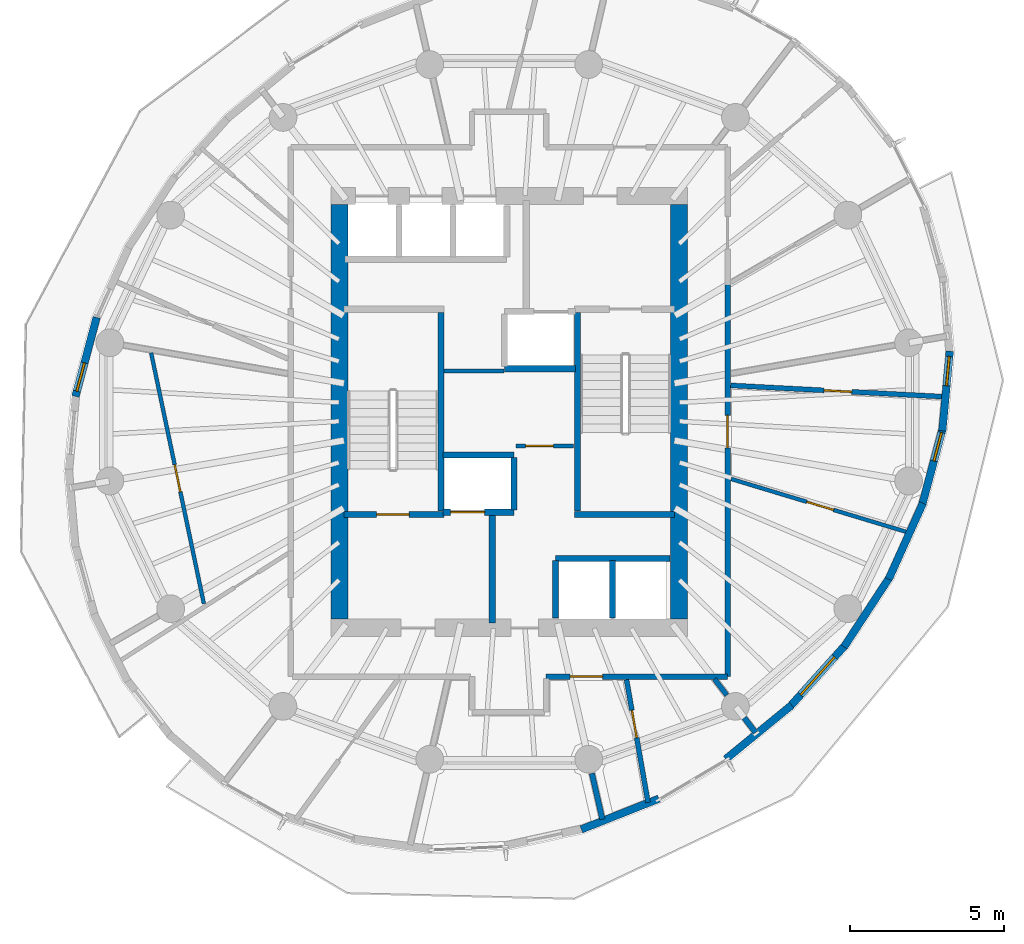
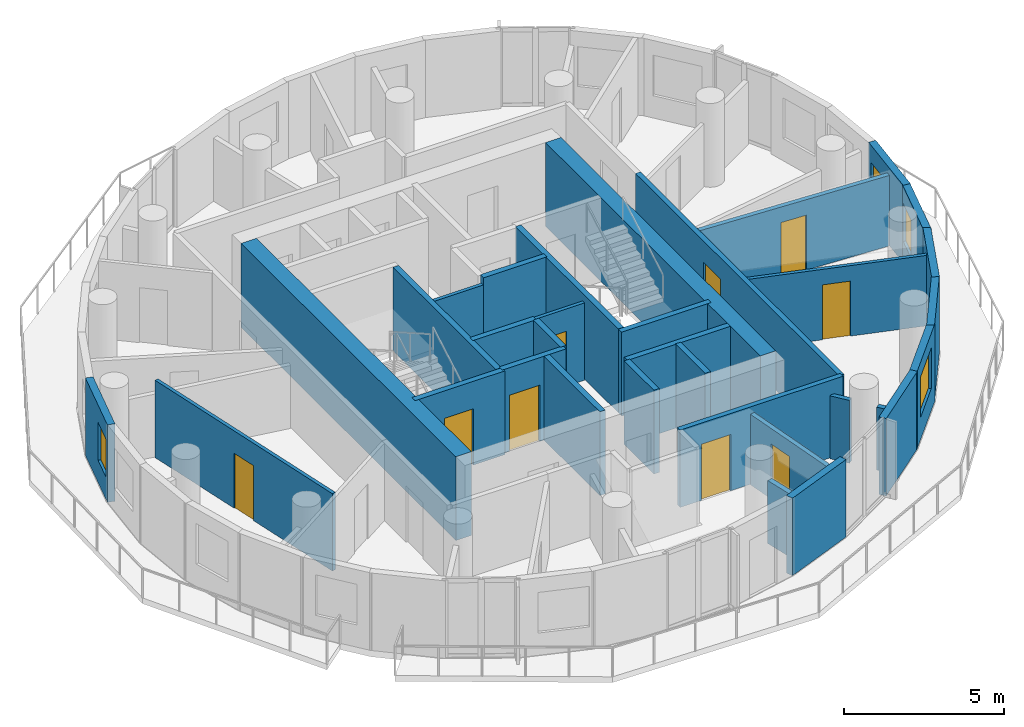
# One storey, part 5 of 10: 33 walls, 9 doors, 4 windows, 13 openings.
"""IFC4 building model written with IfcOpenShell, lengths in metres."""

from ifc_helpers import new_model, si_unit, direction, frame, frame_2d, origin, place, context, subcontext, project, spatial, rectangle, extrude, material, layer, layer_set, type_object, element, fill, save


model = new_model("IFC4")

# Units and contexts
model_context = context("Model", 3, precision=1e-05, world=origin(), true_north=direction((0.0, 1.0)))
body_context = subcontext(model_context, "Body", "Model", "MODEL_VIEW")
ifc_project = project(units=[si_unit("LENGTHUNIT", "METRE"), si_unit("AREAUNIT", "SQUARE_METRE"), si_unit("VOLUMEUNIT", "CUBIC_METRE"), si_unit("PLANEANGLEUNIT", "RADIAN"), si_unit("MASSUNIT", "GRAM", prefix="KILO")], contexts=[model_context])

# Site, building, storey
site_placement = place(None, origin())
site = spatial("IfcSite", under=ifc_project, at=site_placement, CompositionType="ELEMENT")
building_placement = place(site_placement, origin())
building = spatial("IfcBuilding", under=site, at=building_placement, Name="Veldorim Arch Residences", CompositionType="ELEMENT")
storey_placement = place(building_placement, frame((0.0, 0.0, 179.0400390625)))
storey = spatial("IfcBuildingStorey", under=building, at=storey_placement, Name="L53", CompositionType="ELEMENT", Elevation=179.0400390625)

# Wall, opening, door
ifc_material_1 = material(Name="Acoustic Gypsum Board", Category="gypsum")
ifc_layer_1 = layer(ifc_material_1, 0.125, Name="Acoustic Stud Room Partition Wall 125")
ifc_layer_set_1 = layer_set([ifc_layer_1], Name="Acoustic Gypsum Board")
wall_type_1 = type_object("IfcWallType", Name="Acoustic Stud Room Partition Wall 125", PredefinedType="PARTITIONING", material=ifc_layer_set_1)
wall_1_placement = place(storey_placement, frame((32.219970703125, 22.89990234375, 0.0), z_axis=(0.0, 0.0, 1.0), x_axis=(1.0, 0.0, 0.0)))
wall_1 = element("IfcWall", 1, at=wall_1_placement, inside=storey, type_object=wall_type_1, Name="L53 interior wall WL-CA-L53-2", PredefinedType="PARTITIONING", context=body_context, shape_type="SweptSolid", body=[
    extrude(rectangle(XDim=1.860107421875, YDim=0.125, at=frame_2d((0.93017578125, 0.0))), origin(), (0.0, 0.0, 1.0), 2.955078125),
])
opening_1_placement = place(wall_1_placement, frame((0.31005859375, 0.0, 0.0)))
opening_1 = element("IfcOpeningElement", 2, at=opening_1_placement, cuts=wall_1, Name="Opening DR-SVC", PredefinedType="OPENING", context=body_context, shape_type="SweptSolid", body=[
    extrude(rectangle(XDim=0.89990234375, YDim=2.10009765625, at=frame_2d((0.449951171875, 1.050048828125))), frame((0.0, 0.072509765625, 0.0), z_axis=(0.0, -1.0, 0.0), x_axis=(1.0, 0.0, 0.0)), (0.0, 0.0, 1.0), 0.14501953125),
])
ifc_material_2 = material(Name="Fire-Rated Steel", Category="steel")
door_type_1 = type_object("IfcDoorType", Name="Riser, Shelter & Plant Room Rated Steel Door 900x2100", OperationType="SINGLE_SWING_LEFT", PredefinedType="DOOR", material=ifc_material_2)
door_1_placement = place(opening_1_placement, origin())
door_1 = element("IfcDoor", 3, at=door_1_placement, inside=storey, type_object=door_type_1, Name="L53 interior door DR-L53-CA1", OperationType="SINGLE_SWING_RIGHT", OverallHeight=2.10009765625, OverallWidth=0.89990234375, PredefinedType="DOOR", context=body_context, shape_type="SweptSolid", body=[
    extrude(rectangle(XDim=0.89990234375, YDim=2.10009765625, at=frame_2d((0.449951171875, 1.050048828125))), frame((0.0, 0.02490234375, 0.0), z_axis=(0.0, -1.0, 0.0), x_axis=(1.0, 0.0, 0.0)), (0.0, 0.0, 1.0), 0.050048828125),
])
fill(opening_1, door_1)

# Wall
wall_2_placement = place(storey_placement, frame((29.889892578125, 25.330078125, 0.0), z_axis=(0.0, 0.0, 1.0), x_axis=(1.0, 0.0, 0.0)))
element("IfcWall", 4, at=wall_2_placement, inside=storey, type_object=wall_type_1, Name="L53 interior wall WL-CA-L53-N", PredefinedType="PARTITIONING", context=body_context, shape_type="SweptSolid", body=[
    extrude(rectangle(XDim=1.940185546875, YDim=0.125, at=frame_2d((0.97021484375, 0.0))), origin(), (0.0, 0.0, 1.0), 2.955078125),
])

# Wall, opening, door
wall_3_placement = place(storey_placement, frame((44.96337890625, 20.0830078125, 0.0), z_axis=(0.0, 0.0, 1.0), x_axis=(-0.95726021897, 0.289228064298, 0.0)))
wall_3 = element("IfcWall", 5, at=wall_3_placement, inside=storey, type_object=wall_type_1, Name="L53 interior wall WL-RES-L53-020", PredefinedType="PARTITIONING", context=body_context, shape_type="SweptSolid", body=[
    extrude(rectangle(XDim=6.026123046875, YDim=0.125, at=frame_2d((3.01318359375, 0.0))), origin(), (0.0, 0.0, 1.0), 2.69189453125),
])
opening_2_placement = place(wall_3_placement, frame((2.56298828125, 0.0, 0.0)))
opening_2 = element("IfcOpeningElement", 6, at=opening_2_placement, cuts=wall_3, Name="Opening DR-INT", PredefinedType="OPENING", context=body_context, shape_type="SweptSolid", body=[
    extrude(rectangle(XDim=0.89990234375, YDim=2.10009765625, at=frame_2d((0.449951171875, 1.050048828125))), frame((0.0, 0.072509765625, 0.0), z_axis=(0.0, -1.0, 0.0), x_axis=(1.0, 0.0, 0.0)), (0.0, 0.0, 1.0), 0.14501953125),
])
ifc_material_3 = material(Name="Engineered Timber", Category="wood")
door_type_2 = type_object("IfcDoorType", Name="Apartment Internal Room Timber Door 900x2100", OperationType="SINGLE_SWING_LEFT", PredefinedType="DOOR", material=ifc_material_3)
door_2_placement = place(opening_2_placement, origin())
door_2 = element("IfcDoor", 7, at=door_2_placement, inside=storey, type_object=door_type_2, Name="L53 interior door DR-RES-L53-005", OperationType="SINGLE_SWING_LEFT", OverallHeight=2.10009765625, OverallWidth=0.89990234375, PredefinedType="DOOR", context=body_context, shape_type="SweptSolid", body=[
    extrude(rectangle(XDim=0.89990234375, YDim=2.10009765625, at=frame_2d((0.449951171875, 1.050048828125))), frame((0.0, 0.02490234375, 0.0), z_axis=(0.0, -1.0, 0.0), x_axis=(1.0, 0.0, 0.0)), (0.0, 0.0, 1.0), 0.050048828125),
])
fill(opening_2, door_2)

wall_4_placement = place(storey_placement, frame((22.10302734375, 17.78271484375, 0.0), z_axis=(0.0, 0.0, 1.0), x_axis=(-0.205746874797, 0.978605243963, 0.0)))
wall_4 = element("IfcWall", 8, at=wall_4_placement, inside=storey, type_object=wall_type_1, Name="L53 interior wall WL-RES-L53-032", PredefinedType="PARTITIONING", context=body_context, shape_type="SweptSolid", body=[
    extrude(rectangle(XDim=8.30859375, YDim=0.125, at=frame_2d((4.154296875, 0.0))), origin(), (0.0, 0.0, 1.0), 2.955078125),
])
opening_3_placement = place(wall_4_placement, frame((3.704345703125, 0.0, 0.0)))
opening_3 = element("IfcOpeningElement", 9, at=opening_3_placement, cuts=wall_4, Name="Opening DR-INT", PredefinedType="OPENING", context=body_context, shape_type="SweptSolid", body=[
    extrude(rectangle(XDim=0.89990234375, YDim=2.10009765625, at=frame_2d((0.449951171875, 1.050048828125))), frame((0.0, 0.072509765625, 0.0), z_axis=(0.0, -1.0, 0.0), x_axis=(1.0, 0.0, 0.0)), (0.0, 0.0, 1.0), 0.14501953125),
])
door_3_placement = place(opening_3_placement, origin())
door_3 = element("IfcDoor", 10, at=door_3_placement, inside=storey, type_object=door_type_2, Name="L53 interior door DR-RES-L53-017", OperationType="SINGLE_SWING_LEFT", OverallHeight=2.10009765625, OverallWidth=0.89990234375, PredefinedType="DOOR", context=body_context, shape_type="SweptSolid", body=[
    extrude(rectangle(XDim=0.89990234375, YDim=2.10009765625, at=frame_2d((0.449951171875, 1.050048828125))), frame((0.0, 0.02490234375, 0.0), z_axis=(0.0, -1.0, 0.0), x_axis=(1.0, 0.0, 0.0)), (0.0, 0.0, 1.0), 0.050048828125),
])
fill(opening_3, door_3)

# Walls
ifc_material_4 = material(Name="Lightweight Masonry Block & Gypsum", Category="masonry")
ifc_layer_2 = layer(ifc_material_4, 0.179931640625, Name="Compartment & Corridor Fire-Rated Party Wall 180")
ifc_layer_set_2 = layer_set([ifc_layer_2], Name="Lightweight Masonry Block & Gypsum")
wall_type_2 = type_object("IfcWallType", Name="Compartment & Corridor Fire-Rated Party Wall 180", PredefinedType="PARTITIONING", material=ifc_layer_set_2)
wall_5_placement = place(storey_placement, frame((34.679931640625, 12.282470703125, 0.0), z_axis=(0.0, 0.0, 1.0), x_axis=(0.222976920769, -0.974823723965, 0.0)))
element("IfcWall", 11, at=wall_5_placement, inside=storey, type_object=wall_type_2, Name="L53 interior wall WL-PIER-L53-13", PredefinedType="PARTITIONING", context=body_context, shape_type="SweptSolid", body=[
    extrude(rectangle(XDim=1.525146484375, YDim=0.179931640625, at=frame_2d((0.7626953125, 0.0))), origin(), (0.0, 0.0, 1.0), 2.4033203125),
])
wall_6_placement = place(storey_placement, frame((39.619873046875, 14.08203125, 0.0), z_axis=(0.0, 0.0, 1.0), x_axis=(0.609062571598, -0.793122174623, 0.0)))
element("IfcWall", 12, at=wall_6_placement, inside=storey, type_object=wall_type_2, Name="L53 interior wall WL-PIER-L53-14", PredefinedType="PARTITIONING", context=body_context, shape_type="SweptSolid", body=[
    extrude(rectangle(XDim=0.600830078125, YDim=0.179931640625, at=frame_2d((0.30029296875, 0.0))), origin(), (0.0, 0.0, 1.0), 2.4033203125),
])

# Wall, opening, door
wall_7_placement = place(storey_placement, frame((39.080078125, 15.419921875, 0.0), z_axis=(0.0, 0.0, 1.0), x_axis=(-1.0, 0.0, 0.0)))
wall_7 = element("IfcWall", 13, at=wall_7_placement, inside=storey, type_object=wall_type_2, Name="L53 interior wall WL-RES-L53-001", PredefinedType="PARTITIONING", context=body_context, shape_type="SweptSolid", body=[
    extrude(rectangle(XDim=5.880126953125, YDim=0.179931640625, at=frame_2d((2.93994140625, 0.0))), origin(), (0.0, 0.0, 1.0), 2.955078125),
])
opening_4_placement = place(wall_7_placement, frame((4.05224609375, 0.0, 0.0)))
opening_4 = element("IfcOpeningElement", 14, at=opening_4_placement, cuts=wall_7, Name="Opening DR-FLT", PredefinedType="OPENING", context=body_context, shape_type="SweptSolid", body=[
    extrude(rectangle(XDim=1.050048828125, YDim=2.14990234375, at=frame_2d((0.52490234375, 1.074951171875))), frame((0.0, 0.099853515625, 0.0), z_axis=(0.0, -1.0, 0.0), x_axis=(1.0, 0.0, 0.0)), (0.0, 0.0, 1.0), 0.199951171875),
])
ifc_material_5 = material(Name="Fire-Rated Timber", Category="wood")
door_type_3 = type_object("IfcDoorType", Name="Apartment Entrance Solid-Core Fire Door 1050x2150", OperationType="SINGLE_SWING_LEFT", PredefinedType="DOOR", material=ifc_material_5)
door_4_placement = place(opening_4_placement, origin())
door_4 = element("IfcDoor", 15, at=door_4_placement, inside=storey, type_object=door_type_3, Name="L53 interior door DR-RES-L53-001", OperationType="SINGLE_SWING_LEFT", OverallHeight=2.14990234375, OverallWidth=1.050048828125, PredefinedType="DOOR", context=body_context, shape_type="SweptSolid", body=[
    extrude(rectangle(XDim=1.050048828125, YDim=2.14990234375, at=frame_2d((0.52490234375, 1.074951171875))), frame((0.0, 0.02490234375, 0.0), z_axis=(0.0, -1.0, 0.0), x_axis=(1.0, 0.0, 0.0)), (0.0, 0.0, 1.0), 0.050048828125),
])
fill(opening_4, door_4)

wall_8_placement = place(storey_placement, frame((39.080078125, 28.155517578125, 0.0), z_axis=(0.0, 0.0, 1.0), x_axis=(0.0, -1.0, 0.0)))
wall_8 = element("IfcWall", 16, at=wall_8_placement, inside=storey, type_object=wall_type_2, Name="L53 interior wall WL-RES-L53-006", PredefinedType="PARTITIONING", context=body_context, shape_type="SweptSolid", body=[
    extrude(rectangle(XDim=12.735595703125, YDim=0.179931640625, at=frame_2d((6.36767578125, 0.0))), origin(), (0.0, 0.0, 1.0), 2.955078125),
])
opening_5_placement = place(wall_8_placement, frame((4.268798828125, 0.0, 0.0)))
opening_5 = element("IfcOpeningElement", 17, at=opening_5_placement, cuts=wall_8, Name="Opening DR-FLT", PredefinedType="OPENING", context=body_context, shape_type="SweptSolid", body=[
    extrude(rectangle(XDim=1.050048828125, YDim=2.14990234375, at=frame_2d((0.52490234375, 1.074951171875))), frame((0.0, 0.099853515625, 0.0), z_axis=(0.0, -1.0, 0.0), x_axis=(1.0, 0.0, 0.0)), (0.0, 0.0, 1.0), 0.199951171875),
])
door_5_placement = place(opening_5_placement, origin())
door_5 = element("IfcDoor", 18, at=door_5_placement, inside=storey, type_object=door_type_3, Name="L53 interior door DR-RES-L53-003", OperationType="SINGLE_SWING_LEFT", OverallHeight=2.14990234375, OverallWidth=1.050048828125, PredefinedType="DOOR", context=body_context, shape_type="SweptSolid", body=[
    extrude(rectangle(XDim=1.050048828125, YDim=2.14990234375, at=frame_2d((0.52490234375, 1.074951171875))), frame((0.0, 0.02490234375, 0.0), z_axis=(0.0, -1.0, 0.0), x_axis=(1.0, 0.0, 0.0)), (0.0, 0.0, 1.0), 0.050048828125),
])
fill(opening_5, door_5)

# Wall
ifc_material_6 = material(Name="Concrete C50/60", Category="concrete")
ifc_layer_3 = layer(ifc_material_6, 0.199951171875, Name="Core Stair & Lift Shaft Enclosure Wall 200")
ifc_layer_set_3 = layer_set([ifc_layer_3], Name="Concrete C50/60")
wall_type_3 = type_object("IfcWallType", Name="Core Stair & Lift Shaft Enclosure Wall 200", PredefinedType="SHEAR", material=ifc_layer_set_3)
wall_9_placement = place(storey_placement, frame((29.7900390625, 20.780029296875, 0.0), z_axis=(0.0, 0.0, 1.0), x_axis=(0.0, 1.0, 0.0)))
element("IfcWall", 19, at=wall_9_placement, inside=storey, type_object=wall_type_3, Name="L53 shaft wall WL-SHF-L53-ST1-E", PredefinedType="SHEAR", context=body_context, shape_type="SweptSolid", body=[
    extrude(rectangle(XDim=6.43994140625, YDim=0.199951171875, at=frame_2d((3.219970703125, 0.0))), origin(), (0.0, 0.0, 1.0), 3.199951171875),
])

# Wall, opening, door
wall_10_placement = place(storey_placement, frame((26.64990234375, 20.669921875, 0.0), z_axis=(0.0, 0.0, 1.0), x_axis=(1.0, 0.0, 0.0)))
wall_10 = element("IfcWall", 20, at=wall_10_placement, inside=storey, type_object=wall_type_3, Name="L53 shaft wall WL-SHF-L53-ST1-S", PredefinedType="SHEAR", context=body_context, shape_type="SweptSolid", body=[
    extrude(rectangle(XDim=3.239990234375, YDim=0.199951171875, at=frame_2d((1.6201171875, 0.0))), origin(), (0.0, 0.0, 1.0), 3.199951171875),
])
opening_6_placement = place(wall_10_placement, frame((1.054931640625, 0.0, 0.0)))
opening_6 = element("IfcOpeningElement", 21, at=opening_6_placement, cuts=wall_10, Name="Opening DR-ST", PredefinedType="OPENING", context=body_context, shape_type="SweptSolid", body=[
    extrude(rectangle(XDim=1.050048828125, YDim=2.14990234375, at=frame_2d((0.52490234375, 1.074951171875))), frame((0.0, 0.10986328125, 0.0), z_axis=(0.0, -1.0, 0.0), x_axis=(1.0, 0.0, 0.0)), (0.0, 0.0, 1.0), 0.219970703125),
])
ifc_material_7 = material(Name="Fire-Rated Steel", Category="steel")
door_type_4 = type_object("IfcDoorType", Name="Exit Staircase Self-Closing Fire Door 1050x2150", OperationType="SINGLE_SWING_LEFT", PredefinedType="DOOR", material=ifc_material_7)
door_6_placement = place(opening_6_placement, origin())
door_6 = element("IfcDoor", 22, at=door_6_placement, inside=storey, type_object=door_type_4, Name="L53 interior door DR-L53-ST1", OperationType="SINGLE_SWING_LEFT", OverallHeight=2.14990234375, OverallWidth=1.050048828125, PredefinedType="DOOR", context=body_context, shape_type="SweptSolid", body=[
    extrude(rectangle(XDim=1.050048828125, YDim=2.14990234375, at=frame_2d((0.52490234375, 1.074951171875))), frame((0.0, 0.02490234375, 0.0), z_axis=(0.0, -1.0, 0.0), x_axis=(1.0, 0.0, 0.0)), (0.0, 0.0, 1.0), 0.050048828125),
])
fill(opening_6, door_6)

# Walls
wall_11_placement = place(storey_placement, frame((34.2099609375, 20.780029296875, 0.0), z_axis=(0.0, 0.0, 1.0), x_axis=(0.0, 1.0, 0.0)))
element("IfcWall", 23, at=wall_11_placement, inside=storey, type_object=wall_type_3, Name="L53 shaft wall WL-SHF-L53-ST2-W", PredefinedType="SHEAR", context=body_context, shape_type="SweptSolid", body=[
    extrude(rectangle(XDim=6.43994140625, YDim=0.199951171875, at=frame_2d((3.219970703125, 0.0))), origin(), (0.0, 0.0, 1.0), 3.199951171875),
])
wall_12_placement = place(storey_placement, frame((34.110107421875, 20.669921875, 0.0), z_axis=(0.0, 0.0, 1.0), x_axis=(1.0, 0.0, 0.0)))
element("IfcWall", 24, at=wall_12_placement, inside=storey, type_object=wall_type_3, Name="L53 shaft wall WL-SHF-L53-ST2-S", PredefinedType="SHEAR", context=body_context, shape_type="SweptSolid", body=[
    extrude(rectangle(XDim=3.239990234375, YDim=0.199951171875, at=frame_2d((1.6201171875, 0.0))), origin(), (0.0, 0.0, 1.0), 3.199951171875),
])
wall_13_placement = place(storey_placement, frame((31.449951171875, 17.14990234375, 0.0), z_axis=(0.0, 0.0, 1.0), x_axis=(0.0, 1.0, 0.0)))
element("IfcWall", 25, at=wall_13_placement, inside=storey, type_object=wall_type_3, Name="L53 shaft wall WL-FFL1-L53-E", PredefinedType="SHEAR", context=body_context, shape_type="SweptSolid", body=[
    extrude(rectangle(XDim=3.5, YDim=0.199951171875, at=frame_2d((1.75, 0.0))), origin(), (0.0, 0.0, 1.0), 3.199951171875),
])

# Wall, opening, door
wall_14_placement = place(storey_placement, frame((29.85009765625, 20.75, 0.0), z_axis=(0.0, 0.0, 1.0), x_axis=(1.0, 0.0, 0.0)))
wall_14 = element("IfcWall", 26, at=wall_14_placement, inside=storey, type_object=wall_type_3, Name="L53 shaft wall WL-FL01-L53-S", PredefinedType="SHEAR", context=body_context, shape_type="SweptSolid", body=[
    extrude(rectangle(XDim=2.2998046875, YDim=0.199951171875, at=frame_2d((1.14990234375, 0.0))), origin(), (0.0, 0.0, 1.0), 3.199951171875),
])
opening_7_placement = place(wall_14_placement, frame((0.25, 0.0, 0.0)))
opening_7 = element("IfcOpeningElement", 27, at=opening_7_placement, cuts=wall_14, Name="Opening LD-FF", PredefinedType="OPENING", context=body_context, shape_type="SweptSolid", body=[
    extrude(rectangle(XDim=1.10009765625, YDim=2.14990234375, at=frame_2d((0.550048828125, 1.074951171875))), frame((0.0, 0.10986328125, 0.0), z_axis=(0.0, -1.0, 0.0), x_axis=(1.0, 0.0, 0.0)), (0.0, 0.0, 1.0), 0.219970703125),
])
ifc_material_8 = material(Name="Stainless Steel", Category="steel")
door_type_5 = type_object("IfcDoorType", Name="Firefighting Lift Bi-Parting Sliding Landing Door 1100x2150", OperationType="DOUBLE_DOOR_SLIDING", PredefinedType="DOOR", material=ifc_material_8)
door_7_placement = place(opening_7_placement, origin())
door_7 = element("IfcDoor", 28, at=door_7_placement, inside=storey, type_object=door_type_5, Name="L53 lift landing door LD-L53-FL01", OperationType="DOUBLE_DOOR_SLIDING", OverallHeight=2.14990234375, OverallWidth=1.10009765625, PredefinedType="DOOR", context=body_context, shape_type="SweptSolid", body=[
    extrude(rectangle(XDim=1.10009765625, YDim=2.14990234375, at=frame_2d((0.550048828125, 1.074951171875))), frame((0.0, 0.02490234375, 0.0), z_axis=(0.0, -1.0, 0.0), x_axis=(1.0, 0.0, 0.0)), (0.0, 0.0, 1.0), 0.050048828125),
])
fill(opening_7, door_7)

# Walls
wall_15_placement = place(storey_placement, frame((29.85009765625, 22.60009765625, 0.0), z_axis=(0.0, 0.0, 1.0), x_axis=(1.0, 0.0, 0.0)))
element("IfcWall", 29, at=wall_15_placement, inside=storey, type_object=wall_type_3, Name="L53 shaft wall WL-FL01-L53-N", PredefinedType="SHEAR", context=body_context, shape_type="SweptSolid", body=[
    extrude(rectangle(XDim=2.2998046875, YDim=0.199951171875, at=frame_2d((1.14990234375, 0.0))), origin(), (0.0, 0.0, 1.0), 3.199951171875),
])
wall_16_placement = place(storey_placement, frame((32.14990234375, 20.820068359375, 0.0), z_axis=(0.0, 0.0, 1.0), x_axis=(0.0, 1.0, 0.0)))
element("IfcWall", 30, at=wall_16_placement, inside=storey, type_object=wall_type_3, Name="L53 shaft wall WL-FL01-L53-E", PredefinedType="SHEAR", context=body_context, shape_type="SweptSolid", body=[
    extrude(rectangle(XDim=1.7099609375, YDim=0.199951171875, at=frame_2d((0.85498046875, 0.0))), origin(), (0.0, 0.0, 1.0), 3.199951171875),
])
wall_17_placement = place(storey_placement, frame((31.85009765625, 25.39990234375, 0.0), z_axis=(0.0, 0.0, 1.0), x_axis=(1.0, 0.0, 0.0)))
element("IfcWall", 31, at=wall_17_placement, inside=storey, type_object=wall_type_3, Name="L53 shaft wall WL-FL02-L53-S", PredefinedType="SHEAR", context=body_context, shape_type="SweptSolid", body=[
    extrude(rectangle(XDim=2.2998046875, YDim=0.199951171875, at=frame_2d((1.14990234375, 0.0))), origin(), (0.0, 0.0, 1.0), 3.199951171875),
])
wall_18_placement = place(storey_placement, frame((33.5, 19.25, 0.0), z_axis=(0.0, 0.0, 1.0), x_axis=(1.0, 0.0, 0.0)))
element("IfcWall", 32, at=wall_18_placement, inside=storey, type_object=wall_type_3, Name="L53 shaft wall WL-OL-L53-N", PredefinedType="SHEAR", context=body_context, shape_type="SweptSolid", body=[
    extrude(rectangle(XDim=3.719970703125, YDim=0.199951171875, at=frame_2d((1.85986328125, 0.0))), origin(), (0.0, 0.0, 1.0), 3.199951171875),
])
for number, where, z_axis, x_axis, name in (
    (33, (33.5, 17.320068359375, 0.0), (0.0, 0.0, 1.0), (0.0, 1.0, 0.0), "L53 shaft wall WL-OL-L53-W"),
    (34, (35.35009765625, 17.320068359375, 0.0), (0.0, 0.0, 1.0), (0.0, 1.0, 0.0), "L53 shaft wall WL-OL-L53-D1"),
):
    element("IfcWall", number, at=place(storey_placement, frame(where, z_axis=z_axis, x_axis=x_axis)), inside=storey, type_object=wall_type_3, Name=name, PredefinedType="SHEAR", context=body_context, shape_type="SweptSolid", body=[
        extrude(rectangle(XDim=1.85986328125, YDim=0.199951171875, at=frame_2d((0.929931640625, 0.0))), origin(), (0.0, 0.0, 1.0), 3.199951171875),
    ])

# Wall, opening, window
ifc_material_9 = material(Name="Precast concrete C40/50", Category="concrete")
ifc_layer_4 = layer(ifc_material_9, 0.25, Name="Tower Terracotta Spandrel & Pier Wall 250")
ifc_layer_set_4 = layer_set([ifc_layer_4], Name="Precast concrete C40/50")
wall_type_4 = type_object("IfcWallType", Name="Tower Terracotta Spandrel & Pier Wall 250", PredefinedType="SOLIDWALL", material=ifc_layer_set_4)
wall_19_placement = place(storey_placement, frame((17.940185546875, 24.502685546875, 0.0), z_axis=(0.0, 0.0, 1.0), x_axis=(0.258688517816, 0.965960791518, 0.0)))
wall_19 = element("IfcWall", 35, at=wall_19_placement, inside=storey, type_object=wall_type_4, Name="L53 terracotta facade wall 13", PredefinedType="SOLIDWALL", context=body_context, shape_type="SweptSolid", body=[
    extrude(rectangle(XDim=2.651123046875, YDim=0.25, at=frame_2d((1.32568359375, 0.0))), origin(), (0.0, 0.0, 1.0), 2.9599609375),
])
opening_8_placement = place(wall_19_placement, frame((0.175048828125, 0.0, 0.85009765625)))
opening_8 = element("IfcOpeningElement", 36, at=opening_8_placement, cuts=wall_19, Name="Opening WN-05", PredefinedType="OPENING", context=body_context, shape_type="SweptSolid", body=[
    extrude(rectangle(XDim=0.949951171875, YDim=1.449951171875, at=frame_2d((0.47509765625, 0.72509765625))), frame((0.0, 0.135009765625, 0.0), z_axis=(0.0, -1.0, 0.0), x_axis=(1.0, 0.0, 0.0)), (0.0, 0.0, 1.0), 0.27001953125),
])
ifc_material_10 = material(Name="Laminated Low-E Glass", Category="glass")
window_type_1 = type_object("IfcWindowType", Name="Residential Compact Casement Window 950x1450", PartitioningType="SINGLE_PANEL", PredefinedType="WINDOW", material=ifc_material_10)
window_1_placement = place(opening_8_placement, origin())
window_1 = element("IfcWindow", 37, at=window_1_placement, inside=storey, type_object=window_type_1, Name="L53 solar-control facade window 13", OverallHeight=1.449951171875, OverallWidth=0.949951171875, PartitioningType="SINGLE_PANEL", PredefinedType="WINDOW", context=body_context, shape_type="SweptSolid", body=[
    extrude(rectangle(XDim=0.949951171875, YDim=1.449951171875, at=frame_2d((0.47509765625, 0.72509765625))), frame((0.0, 0.030029296875, 0.0), z_axis=(0.0, -1.0, 0.0), x_axis=(1.0, 0.0, 0.0)), (0.0, 0.0, 1.0), 0.06005859375),
])
fill(opening_8, window_1)

# Walls
wall_20_placement = place(storey_placement, frame((36.850830078125, 11.4619140625, 0.0), z_axis=(0.0, 0.0, 1.0), x_axis=(-0.929693178164, -0.368334894459, 0.0)))
element("IfcWall", 38, at=wall_20_placement, inside=storey, type_object=wall_type_4, Name="L53 terracotta facade wall 25", PredefinedType="SOLIDWALL", context=body_context, shape_type="SweptSolid", body=[
    extrude(rectangle(XDim=2.70166015625, YDim=0.25, at=frame_2d((1.350830078125, 0.0))), origin(), (0.0, 0.0, 1.0), 2.9599609375),
])
wall_21_placement = place(storey_placement, frame((41.15478515625, 14.4921875, 0.0), z_axis=(0.0, 0.0, 1.0), x_axis=(-0.773491700486, -0.633806428872, 0.0)))
element("IfcWall", 39, at=wall_21_placement, inside=storey, type_object=wall_type_4, Name="L53 terracotta facade wall 27", PredefinedType="SOLIDWALL", context=body_context, shape_type="SweptSolid", body=[
    extrude(rectangle(XDim=2.758056640625, YDim=0.25, at=frame_2d((1.37890625, 0.0))), origin(), (0.0, 0.0, 1.0), 2.9599609375),
])

# Wall, opening, window
wall_22_placement = place(storey_placement, frame((42.920654296875, 16.467529296875, 0.0), z_axis=(0.0, 0.0, 1.0), x_axis=(-0.668764193685, -0.743474581438, 0.0)))
wall_22 = element("IfcWall", 40, at=wall_22_placement, inside=storey, type_object=wall_type_4, Name="L53 terracotta facade wall 28", PredefinedType="SOLIDWALL", context=body_context, shape_type="SweptSolid", body=[
    extrude(rectangle(XDim=2.758056640625, YDim=0.25, at=frame_2d((1.37890625, 0.0))), origin(), (0.0, 0.0, 1.0), 2.9599609375),
])
opening_9_placement = place(wall_22_placement, frame((0.553955078125, 0.0, 0.85009765625)))
opening_9 = element("IfcOpeningElement", 41, at=opening_9_placement, cuts=wall_22, Name="Opening WN-03", PredefinedType="OPENING", context=body_context, shape_type="SweptSolid", body=[
    extrude(rectangle(XDim=1.64990234375, YDim=1.550048828125, at=frame_2d((0.824951171875, 0.77490234375))), frame((0.0, 0.135009765625, 0.0), z_axis=(0.0, -1.0, 0.0), x_axis=(1.0, 0.0, 0.0)), (0.0, 0.0, 1.0), 0.27001953125),
])
ifc_material_11 = material(Name="Laminated Low-E Glass", Category="glass")
window_type_2 = type_object("IfcWindowType", Name="Residential Wide Window 1650x1550", PartitioningType="SINGLE_PANEL", PredefinedType="WINDOW", material=ifc_material_11)
window_2_placement = place(opening_9_placement, origin())
window_2 = element("IfcWindow", 42, at=window_2_placement, inside=storey, type_object=window_type_2, Name="L53 solar-control facade window 28", OverallHeight=1.550048828125, OverallWidth=1.64990234375, PartitioningType="SINGLE_PANEL", PredefinedType="WINDOW", context=body_context, shape_type="SweptSolid", body=[
    extrude(rectangle(XDim=1.64990234375, YDim=1.550048828125, at=frame_2d((0.824951171875, 0.77490234375))), frame((0.0, 0.030029296875, 0.0), z_axis=(0.0, -1.0, 0.0), x_axis=(1.0, 0.0, 0.0)), (0.0, 0.0, 1.0), 0.06005859375),
])
fill(opening_9, window_2)

# Walls
wall_23_placement = place(storey_placement, frame((44.35400390625, 18.672607421875, 0.0), z_axis=(0.0, 0.0, 1.0), x_axis=(-0.547664848596, -0.83669780304, 0.0)))
element("IfcWall", 43, at=wall_23_placement, inside=storey, type_object=wall_type_4, Name="L53 terracotta facade wall 29", PredefinedType="SOLIDWALL", context=body_context, shape_type="SweptSolid", body=[
    extrude(rectangle(XDim=2.738525390625, YDim=0.25, at=frame_2d((1.369140625, 0.0))), origin(), (0.0, 0.0, 1.0), 2.9599609375),
])
wall_24_placement = place(storey_placement, frame((45.410888671875, 21.0400390625, 0.0), z_axis=(0.0, 0.0, 1.0), x_axis=(-0.410736648959, -0.911754026699, 0.0)))
element("IfcWall", 44, at=wall_24_placement, inside=storey, type_object=wall_type_4, Name="L53 terracotta facade wall 30", PredefinedType="SOLIDWALL", context=body_context, shape_type="SweptSolid", body=[
    extrude(rectangle(XDim=2.701416015625, YDim=0.25, at=frame_2d((1.3505859375, 0.0))), origin(), (0.0, 0.0, 1.0), 2.9599609375),
])

# Wall, opening, window
wall_25_placement = place(storey_placement, frame((46.059814453125, 23.497314453125, 0.0), z_axis=(0.0, 0.0, 1.0), x_axis=(-0.258688517816, -0.965960791518, 0.0)))
wall_25 = element("IfcWall", 45, at=wall_25_placement, inside=storey, type_object=wall_type_4, Name="L53 terracotta facade wall 31", PredefinedType="SOLIDWALL", context=body_context, shape_type="SweptSolid", body=[
    extrude(rectangle(XDim=2.651123046875, YDim=0.25, at=frame_2d((1.32568359375, 0.0))), origin(), (0.0, 0.0, 1.0), 2.9599609375),
])
opening_10_placement = place(wall_25_placement, frame((0.175048828125, 0.0, 0.85009765625)))
opening_10 = element("IfcOpeningElement", 46, at=opening_10_placement, cuts=wall_25, Name="Opening WN-05", PredefinedType="OPENING", context=body_context, shape_type="SweptSolid", body=[
    extrude(rectangle(XDim=0.949951171875, YDim=1.449951171875, at=frame_2d((0.47509765625, 0.72509765625))), frame((0.0, 0.135009765625, 0.0), z_axis=(0.0, -1.0, 0.0), x_axis=(1.0, 0.0, 0.0)), (0.0, 0.0, 1.0), 0.27001953125),
])
window_3_placement = place(opening_10_placement, origin())
window_3 = element("IfcWindow", 47, at=window_3_placement, inside=storey, type_object=window_type_1, Name="L53 solar-control facade window 31", OverallHeight=1.449951171875, OverallWidth=0.949951171875, PartitioningType="SINGLE_PANEL", PredefinedType="WINDOW", context=body_context, shape_type="SweptSolid", body=[
    extrude(rectangle(XDim=0.949951171875, YDim=1.449951171875, at=frame_2d((0.47509765625, 0.72509765625))), frame((0.0, 0.030029296875, 0.0), z_axis=(0.0, -1.0, 0.0), x_axis=(1.0, 0.0, 0.0)), (0.0, 0.0, 1.0), 0.06005859375),
])
fill(opening_10, window_3)

wall_26_placement = place(storey_placement, frame((46.2802734375, 25.969482421875, 0.0), z_axis=(0.0, 0.0, 1.0), x_axis=(-0.092582110032, -0.995705053167, 0.0)))
wall_26 = element("IfcWall", 48, at=wall_26_placement, inside=storey, type_object=wall_type_4, Name="L53 terracotta facade wall 32", PredefinedType="SOLIDWALL", context=body_context, shape_type="SweptSolid", body=[
    extrude(rectangle(XDim=2.59228515625, YDim=0.25, at=frame_2d((1.296142578125, 0.0))), origin(), (0.0, 0.0, 1.0), 2.9599609375),
])
opening_11_placement = place(wall_26_placement, frame((0.175048828125, 0.0, 0.85009765625)))
opening_11 = element("IfcOpeningElement", 49, at=opening_11_placement, cuts=wall_26, Name="Opening WN-05", PredefinedType="OPENING", context=body_context, shape_type="SweptSolid", body=[
    extrude(rectangle(XDim=0.949951171875, YDim=1.449951171875, at=frame_2d((0.47509765625, 0.72509765625))), frame((0.0, 0.135009765625, 0.0), z_axis=(0.0, -1.0, 0.0), x_axis=(1.0, 0.0, 0.0)), (0.0, 0.0, 1.0), 0.27001953125),
])
window_4_placement = place(opening_11_placement, origin())
window_4 = element("IfcWindow", 50, at=window_4_placement, inside=storey, type_object=window_type_1, Name="L53 solar-control facade window 32", OverallHeight=1.449951171875, OverallWidth=0.949951171875, PartitioningType="SINGLE_PANEL", PredefinedType="WINDOW", context=body_context, shape_type="SweptSolid", body=[
    extrude(rectangle(XDim=0.949951171875, YDim=1.449951171875, at=frame_2d((0.47509765625, 0.72509765625))), frame((0.0, 0.030029296875, 0.0), z_axis=(0.0, -1.0, 0.0), x_axis=(1.0, 0.0, 0.0)), (0.0, 0.0, 1.0), 0.06005859375),
])
fill(opening_11, window_4)

# Walls
ifc_material_12 = material(Name="Concrete C50/60", Category="concrete")
ifc_layer_5 = layer(ifc_material_12, 0.5, Name="Upper Central Core Shear Wall 560")
ifc_layer_set_5 = layer_set([ifc_layer_5], Name="Concrete C50/60")
wall_type_5 = type_object("IfcWallType", Name="Upper Central Core Shear Wall 560", PredefinedType="SHEAR", material=ifc_layer_set_5)
for number, where, z_axis, x_axis, name in (
    (51, (26.5, 17.280029296875, 0.0), (0.0, 0.0, 1.0), (0.0, 1.0, 0.0), "L53 central core west shear wall"),
    (52, (37.5, 17.280029296875, 0.0), (0.0, 0.0, 1.0), (0.0, 1.0, 0.0), "L53 central core east shear wall"),
):
    element("IfcWall", number, at=place(storey_placement, frame(where, z_axis=z_axis, x_axis=x_axis)), inside=storey, type_object=wall_type_5, Name=name, PredefinedType="SHEAR", context=body_context, shape_type="SweptSolid", body=[
        extrude(rectangle(XDim=13.43994140625, YDim=0.56005859375, at=frame_2d((6.719970703125, 0.0))), origin(), (0.0, 0.0, 1.0), 3.199951171875),
    ])

# Wall, opening, door
ifc_material_13 = material(Name="Moisture-Resistant Gypsum & Stud", Category="gypsum")
ifc_layer_6 = layer(ifc_material_13, 0.159912109375, Name="Wet-Area Moisture-Resistant Plumbing Wall 160")
ifc_layer_set_6 = layer_set([ifc_layer_6], Name="Moisture-Resistant Gypsum & Stud")
wall_type_6 = type_object("IfcWallType", Name="Wet-Area Moisture-Resistant Plumbing Wall 160", PredefinedType="PLUMBINGWALL", material=ifc_layer_set_6)
wall_27_placement = place(storey_placement, frame((35.802490234375, 15.321533203125, 0.0), z_axis=(0.0, 0.0, 1.0), x_axis=(0.172579535558, -0.98499558573, 0.0)))
wall_27 = element("IfcWall", 53, at=wall_27_placement, inside=storey, type_object=wall_type_6, Name="L53 interior wall WL-RES-L53-016", PredefinedType="PLUMBINGWALL", context=body_context, shape_type="SweptSolid", body=[
    extrude(rectangle(XDim=4.04296875, YDim=0.159912109375, at=frame_2d((2.021484375, 0.0))), origin(), (0.0, 0.0, 1.0), 2.69189453125),
])
opening_12_placement = place(wall_27_placement, frame((1.011474609375, 0.0, 0.0)))
opening_12 = element("IfcOpeningElement", 54, at=opening_12_placement, cuts=wall_27, Name="Opening DR-WC", PredefinedType="OPENING", context=body_context, shape_type="SweptSolid", body=[
    extrude(rectangle(XDim=0.89990234375, YDim=2.10009765625, at=frame_2d((0.449951171875, 1.050048828125))), frame((0.0, 0.08984375, 0.0), z_axis=(0.0, -1.0, 0.0), x_axis=(1.0, 0.0, 0.0)), (0.0, 0.0, 1.0), 0.179931640625),
])
ifc_material_14 = material(Name="Laminate Timber", Category="wood")
door_type_6 = type_object("IfcDoorType", Name="Bathroom & Accessible WC Moisture-Sealed Door 900x2100", OperationType="SINGLE_SWING_LEFT", PredefinedType="DOOR", material=ifc_material_14)
door_8_placement = place(opening_12_placement, origin())
door_8 = element("IfcDoor", 55, at=door_8_placement, inside=storey, type_object=door_type_6, Name="L53 interior door DR-RES-L53-002", OperationType="SINGLE_SWING_RIGHT", OverallHeight=2.10009765625, OverallWidth=0.89990234375, PredefinedType="DOOR", context=body_context, shape_type="SweptSolid", body=[
    extrude(rectangle(XDim=0.89990234375, YDim=2.10009765625, at=frame_2d((0.449951171875, 1.050048828125))), frame((0.0, 0.02490234375, 0.0), z_axis=(0.0, -1.0, 0.0), x_axis=(1.0, 0.0, 0.0)), (0.0, 0.0, 1.0), 0.050048828125),
])
fill(opening_12, door_8)

# Wall
wall_28_placement = place(storey_placement, frame((38.65283203125, 15.3408203125, 0.0), z_axis=(0.0, 0.0, 1.0), x_axis=(0.609101063055, -0.79309261438, 0.0)))
element("IfcWall", 56, at=wall_28_placement, inside=storey, type_object=wall_type_6, Name="L53 interior wall WL-RES-L53-018", PredefinedType="PLUMBINGWALL", context=body_context, shape_type="SweptSolid", body=[
    extrude(rectangle(XDim=0.658203125, YDim=0.159912109375, at=frame_2d((0.3291015625, 0.0))), origin(), (0.0, 0.0, 1.0), 2.4033203125),
])

# Wall, opening, door
wall_29_placement = place(storey_placement, frame((39.179931640625, 24.8583984375, 0.0), z_axis=(0.0, 0.0, 1.0), x_axis=(0.998597105279, -0.05295112207, 0.0)))
wall_29 = element("IfcWall", 57, at=wall_29_placement, inside=storey, type_object=wall_type_6, Name="L53 interior wall WL-RES-L53-019", PredefinedType="PLUMBINGWALL", context=body_context, shape_type="SweptSolid", body=[
    extrude(rectangle(XDim=6.95751953125, YDim=0.159912109375, at=frame_2d((3.478759765625, 0.0))), origin(), (0.0, 0.0, 1.0), 2.69189453125),
])
opening_13_placement = place(wall_29_placement, frame((3.02880859375, 0.0, 0.0)))
opening_13 = element("IfcOpeningElement", 58, at=opening_13_placement, cuts=wall_29, Name="Opening DR-WC", PredefinedType="OPENING", context=body_context, shape_type="SweptSolid", body=[
    extrude(rectangle(XDim=0.89990234375, YDim=2.10009765625, at=frame_2d((0.449951171875, 1.050048828125))), frame((0.0, 0.08984375, 0.0), z_axis=(0.0, -1.0, 0.0), x_axis=(1.0, 0.0, 0.0)), (0.0, 0.0, 1.0), 0.179931640625),
])
door_9_placement = place(opening_13_placement, origin())
door_9 = element("IfcDoor", 59, at=door_9_placement, inside=storey, type_object=door_type_6, Name="L53 interior door DR-RES-L53-004", OperationType="SINGLE_SWING_RIGHT", OverallHeight=2.10009765625, OverallWidth=0.89990234375, PredefinedType="DOOR", context=body_context, shape_type="SweptSolid", body=[
    extrude(rectangle(XDim=0.89990234375, YDim=2.10009765625, at=frame_2d((0.449951171875, 1.050048828125))), frame((0.0, 0.02490234375, 0.0), z_axis=(0.0, -1.0, 0.0), x_axis=(1.0, 0.0, 0.0)), (0.0, 0.0, 1.0), 0.050048828125),
])
fill(opening_13, door_9)

save(model, "model.ifc")
